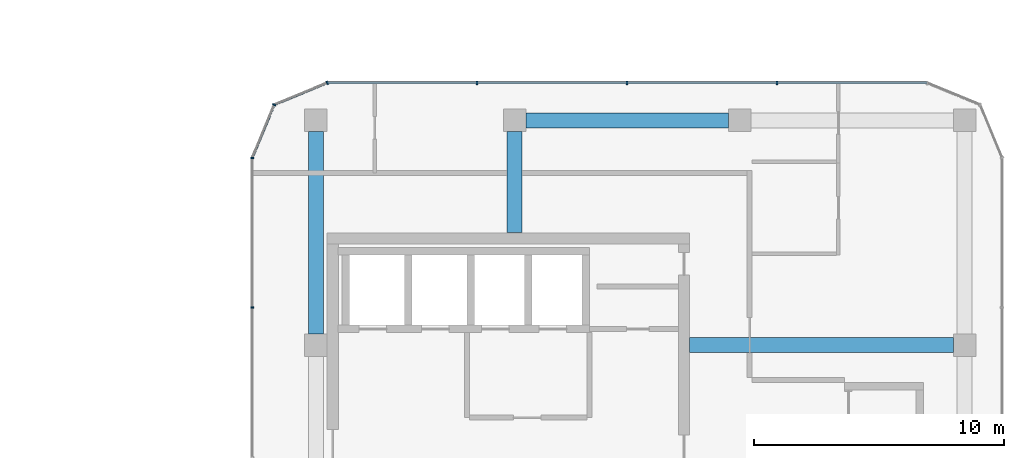
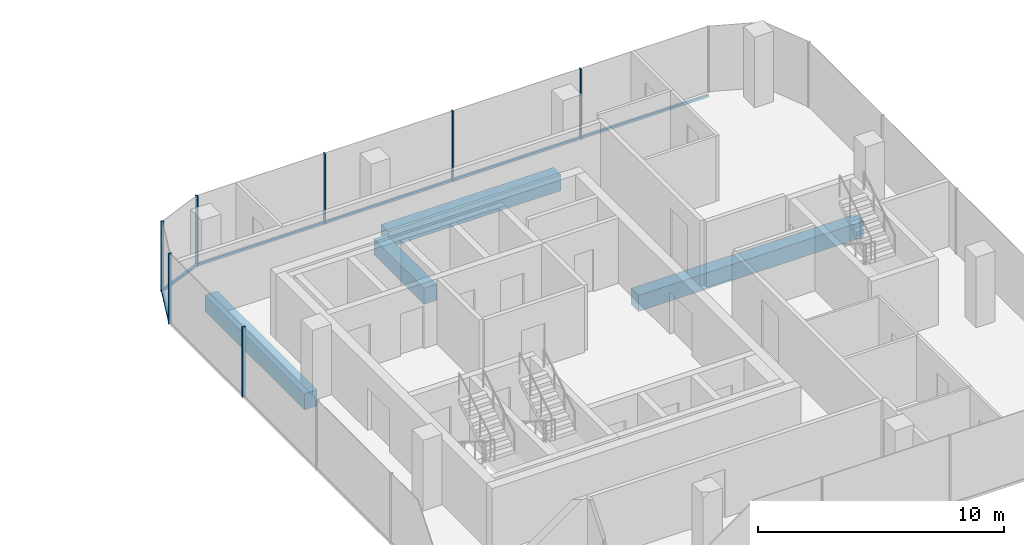
# One storey, part 9 of 23: 10 members, 4 beams, 4 elements without a shape of their own.
"""IFC4 building model written with IfcOpenShell, lengths in metres."""

from ifc_helpers import new_model, si_unit, direction, frame, origin, origin_2d, place, context, subcontext, project, spatial, rectangle, extrude, material, layer, layer_set, material_profile, profile_set, type_object, element, aggregate, save


model = new_model("IFC4")

# Units and contexts
model_context = context("Model", 3, precision=1e-05, world=origin(), true_north=direction((0.0, 1.0)))
body_context = subcontext(model_context, "Body", "Model", "MODEL_VIEW")
ifc_project = project(units=[si_unit("LENGTHUNIT", "METRE"), si_unit("AREAUNIT", "SQUARE_METRE"), si_unit("VOLUMEUNIT", "CUBIC_METRE"), si_unit("PLANEANGLEUNIT", "RADIAN"), si_unit("MASSUNIT", "GRAM", prefix="KILO")], contexts=[model_context])

# Site, building, storey
site_placement = place(None, origin())
site = spatial("IfcSite", under=ifc_project, at=site_placement, CompositionType="ELEMENT")
building_placement = place(site_placement, origin())
building = spatial("IfcBuilding", under=site, at=building_placement, Name="Plateau Cross Towers", CompositionType="ELEMENT")
storey_placement = place(building_placement, frame((0.0, 0.0, 81.800048828125)))
storey = spatial("IfcBuildingStorey", under=building, at=storey_placement, Name="L20", CompositionType="ELEMENT", Elevation=81.800048828125)

# Beams
ifc_material_1 = material(Name="Concrete C60/75", Category="concrete")
ifc_material_profile_1 = material_profile(ifc_material_1, rectangle(XDim=0.60009765625, YDim=0.800048828125, at=origin_2d()), Name="RC 600x800")
ifc_profile_set_1 = profile_set([ifc_material_profile_1], Name="Concrete C60/75")
beam_type_1 = type_object("IfcBeamType", Name="Core beam RC 600x800", PredefinedType="BEAM", material=ifc_profile_set_1)
beam_1_placement = place(storey_placement, frame((89.5, 13.5, -0.650146484375), z_axis=(1.0, 0.0, 0.0), x_axis=(0.0, 1.0, 0.0)))
element("IfcBeam", 1, at=beam_1_placement, inside=storey, type_object=beam_type_1, Name="B-CB03@L20", PredefinedType="BEAM", context=body_context, shape_type="SweptSolid", body=[
    extrude(rectangle(XDim=0.60009765625, YDim=0.800048828125, at=origin_2d()), origin(), (0.0, 0.0, 1.0), 10.550048828125),
])
beam_2_placement = place(storey_placement, frame((82.5, 18.0, -0.650146484375), z_axis=(0.0, 1.0, 0.0), x_axis=(-1.0, 0.0, 0.0)))
element("IfcBeam", 2, at=beam_2_placement, inside=storey, type_object=beam_type_1, Name="B-CB04@L20", PredefinedType="BEAM", context=body_context, shape_type="SweptSolid", body=[
    extrude(rectangle(XDim=0.60009765625, YDim=0.800048828125, at=origin_2d()), origin(), (0.0, 0.0, 1.0), 4.050048828125),
])

# Curtain wall, members
ifc_material_2 = material(Name="Dark low-iron glass", Category="glass")
ifc_layer = layer(ifc_material_2, 0.239990234375)
ifc_layer_set = layer_set([ifc_layer], Name="Dark low-iron glass")
curtain_wall_type = type_object("IfcCurtainWallType", Name="Curtain wall office unitised CW-F", PredefinedType="NOTDEFINED", material=ifc_layer_set)
curtain_wall_1_placement = place(storey_placement, origin())
curtain_wall_1 = element("IfcCurtainWall", 3, at=curtain_wall_1_placement, inside=storey, type_object=curtain_wall_type, Name="ENV/B/L20/B990_240", PredefinedType="NOTDEFINED")
ifc_material_3 = material(Name="Black anodised aluminium", Category="aluminium")
ifc_material_profile_2 = material_profile(ifc_material_3, rectangle(XDim=0.06005859375, YDim=0.139892578125, at=origin_2d()), Name="MULLION 60x140")
ifc_profile_set_2 = profile_set([ifc_material_profile_2], Name="Black anodised aluminium")
member_type_1 = type_object("IfcMemberType", Name="Mullion 60x140 office unitised", PredefinedType="MULLION", material=ifc_profile_set_2)
member_1_placement = place(storey_placement, frame((93.0, 24.0, -0.25), z_axis=(0.0, 0.0, 1.0), x_axis=(-1.0, 0.0, 0.0)))
member_1 = element("IfcMember", 4, at=member_1_placement, type_object=member_type_1, Name="CW-F mullion 2", PredefinedType="MULLION", context=body_context, shape_type="SweptSolid", body=[
    extrude(rectangle(XDim=0.06005859375, YDim=0.139892578125, at=origin_2d()), origin(), (0.0, 0.0, 1.0), 3.5),
])
member_2_placement = place(storey_placement, frame((87.0, 24.0, -0.25), z_axis=(0.0, 0.0, 1.0), x_axis=(-1.0, 0.0, 0.0)))
member_2 = element("IfcMember", 5, at=member_2_placement, type_object=member_type_1, Name="CW-F mullion 3", PredefinedType="MULLION", context=body_context, shape_type="SweptSolid", body=[
    extrude(rectangle(XDim=0.06005859375, YDim=0.139892578125, at=origin_2d()), origin(), (0.0, 0.0, 1.0), 3.5),
])
member_3_placement = place(storey_placement, frame((81.0, 24.0, -0.25), z_axis=(0.0, 0.0, 1.0), x_axis=(-1.0, 0.0, 0.0)))
member_3 = element("IfcMember", 6, at=member_3_placement, type_object=member_type_1, Name="CW-F mullion 4", PredefinedType="MULLION", context=body_context, shape_type="SweptSolid", body=[
    extrude(rectangle(XDim=0.06005859375, YDim=0.139892578125, at=origin_2d()), origin(), (0.0, 0.0, 1.0), 3.5),
])

# Curtain wall, member
curtain_wall_2_placement = place(storey_placement, origin())
curtain_wall_2 = element("IfcCurtainWall", 7, at=curtain_wall_2_placement, inside=storey, type_object=curtain_wall_type, Name="ENV/B/L20/B750_240", PredefinedType="NOTDEFINED")
member_4_placement = place(storey_placement, frame((75.0, 24.0, -0.25), z_axis=(0.0, 0.0, 1.0), x_axis=(-0.923879457699, -0.382683612978, 0.0)))
member_4 = element("IfcMember", 8, at=member_4_placement, type_object=member_type_1, Name="CW-F mullion 1", PredefinedType="MULLION", context=body_context, shape_type="SweptSolid", body=[
    extrude(rectangle(XDim=0.06005859375, YDim=0.139892578125, at=origin_2d()), origin(), (0.0, 0.0, 1.0), 3.5),
])

curtain_wall_3_placement = place(storey_placement, origin())
curtain_wall_3 = element("IfcCurtainWall", 9, at=curtain_wall_3_placement, inside=storey, type_object=curtain_wall_type, Name="ENV/B/L20/B729_231", PredefinedType="NOTDEFINED")
member_5_placement = place(storey_placement, frame((72.878662109375, 23.121337890625, -0.25), z_axis=(0.0, 0.0, 1.0), x_axis=(-0.382683612978, -0.923879457699, 0.0)))
member_5 = element("IfcMember", 10, at=member_5_placement, type_object=member_type_1, Name="CW-F mullion 1", PredefinedType="MULLION", context=body_context, shape_type="SweptSolid", body=[
    extrude(rectangle(XDim=0.06005859375, YDim=0.139892578125, at=origin_2d()), origin(), (0.0, 0.0, 1.0), 3.5),
])

# Curtain wall, members
curtain_wall_4_placement = place(storey_placement, origin())
curtain_wall_4 = element("IfcCurtainWall", 11, at=curtain_wall_4_placement, inside=storey, type_object=curtain_wall_type, Name="ENV/B/L20/B720_210", PredefinedType="NOTDEFINED")
member_6_placement = place(storey_placement, frame((72.0, 21.0, -0.25), z_axis=(0.0, 0.0, 1.0), x_axis=(0.0, -1.0, 0.0)))
member_6 = element("IfcMember", 12, at=member_6_placement, type_object=member_type_1, Name="CW-F mullion 1", PredefinedType="MULLION", context=body_context, shape_type="SweptSolid", body=[
    extrude(rectangle(XDim=0.06005859375, YDim=0.139892578125, at=origin_2d()), origin(), (0.0, 0.0, 1.0), 3.5),
])
member_7_placement = place(storey_placement, frame((72.0, 15.0, -0.25), z_axis=(0.0, 0.0, 1.0), x_axis=(0.0, -1.0, 0.0)))
member_7 = element("IfcMember", 13, at=member_7_placement, type_object=member_type_1, Name="CW-F mullion 2", PredefinedType="MULLION", context=body_context, shape_type="SweptSolid", body=[
    extrude(rectangle(XDim=0.06005859375, YDim=0.139892578125, at=origin_2d()), origin(), (0.0, 0.0, 1.0), 3.5),
])
aggregate(curtain_wall_4, [member_6, member_7])

# Beams
ifc_material_profile_3 = material_profile(ifc_material_1, rectangle(XDim=0.60009765625, YDim=0.800048828125, at=origin_2d()), Name="RC 600x800")
ifc_profile_set_3 = profile_set([ifc_material_profile_3], Name="Concrete C60/75")
beam_type_2 = type_object("IfcBeamType", Name="Ring beam RC 600x800", PredefinedType="BEAM", material=ifc_profile_set_3)
for number, where, z_axis, x_axis, name in (
    (14, (91.050048828125, 22.5, -0.650146484375), (-1.0, 0.0, 0.0), (0.0, -1.0, 0.0), "B-RB07@L20"),
    (15, (74.550048828125, 22.050048828125, -0.650146484375), (0.0, -1.0, 0.0), (1.0, 0.0, 0.0), "B-RB08@L20"),
):
    element("IfcBeam", number, at=place(storey_placement, frame(where, z_axis=z_axis, x_axis=x_axis)), inside=storey, type_object=beam_type_2, Name=name, PredefinedType="BEAM", context=body_context, shape_type="SweptSolid", body=[
        extrude(rectangle(XDim=0.60009765625, YDim=0.800048828125, at=origin_2d()), origin(), (0.0, 0.0, 1.0), 8.10009765625),
    ])

# Member
ifc_material_profile_4 = material_profile(ifc_material_3, rectangle(XDim=0.10009765625, YDim=0.1201171875, at=origin_2d()), Name="TRANSOM 100x120")
ifc_profile_set_4 = profile_set([ifc_material_profile_4], Name="Black anodised aluminium")
member_type_2 = type_object("IfcMemberType", Name="Transom 100x120 office unitised", PredefinedType="USERDEFINED", material=ifc_profile_set_4)
member_8_placement = place(storey_placement, frame((99.0, 24.0, -0.18994140625), z_axis=(-1.0, 0.0, 0.0), x_axis=(0.0, -1.0, 0.0)))
member_8 = element("IfcMember", 16, at=member_8_placement, type_object=member_type_2, Name="CW-F transom", ObjectType="TRANSOM", PredefinedType="USERDEFINED", context=body_context, shape_type="SweptSolid", body=[
    extrude(rectangle(XDim=0.10009765625, YDim=0.1201171875, at=origin_2d()), origin(), (0.0, 0.0, 1.0), 24.0),
])

aggregate(curtain_wall_1, [member_1, member_2, member_3, member_8])

member_9_placement = place(storey_placement, frame((75.0, 24.0, -0.18994140625), z_axis=(-0.923883353507, -0.382674207535, 0.0), x_axis=(0.382674207535, -0.923883353507, 0.0)))
member_9 = element("IfcMember", 17, at=member_9_placement, type_object=member_type_2, Name="CW-F transom", ObjectType="TRANSOM", PredefinedType="USERDEFINED", context=body_context, shape_type="SweptSolid", body=[
    extrude(rectangle(XDim=0.10009765625, YDim=0.1201171875, at=origin_2d()), origin(), (0.0, 0.0, 1.0), 2.296142578125),
])

aggregate(curtain_wall_2, [member_4, member_9])

member_10_placement = place(storey_placement, frame((72.878662109375, 23.121337890625, -0.18994140625), z_axis=(-0.382674207535, -0.923883353507, 0.0), x_axis=(0.923883353507, -0.382674207535, 0.0)))
member_10 = element("IfcMember", 18, at=member_10_placement, type_object=member_type_2, Name="CW-F transom", ObjectType="TRANSOM", PredefinedType="USERDEFINED", context=body_context, shape_type="SweptSolid", body=[
    extrude(rectangle(XDim=0.10009765625, YDim=0.1201171875, at=origin_2d()), origin(), (0.0, 0.0, 1.0), 2.296142578125),
])

aggregate(curtain_wall_3, [member_5, member_10])

save(model, "model.ifc")
